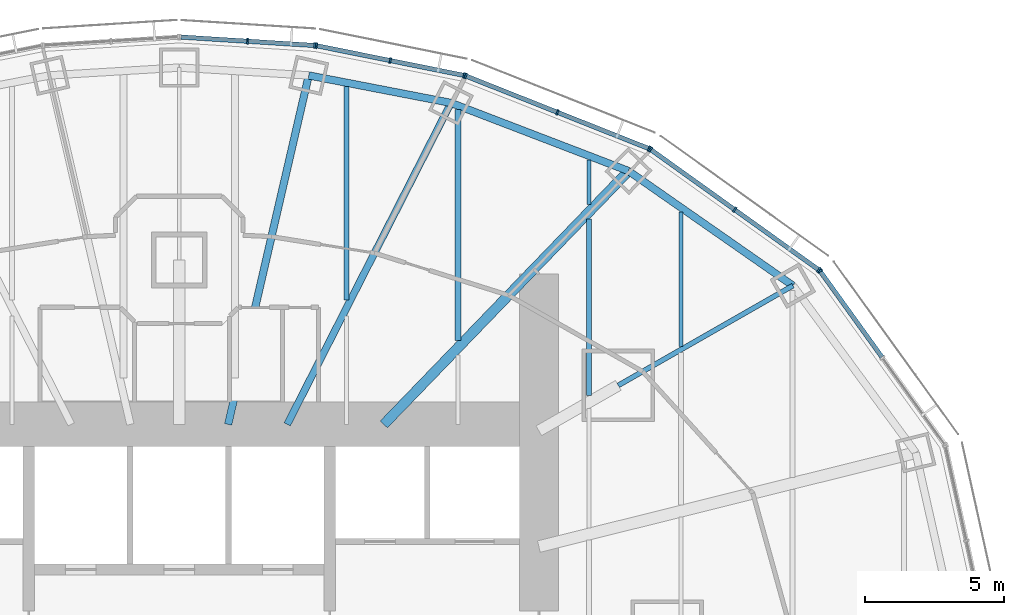
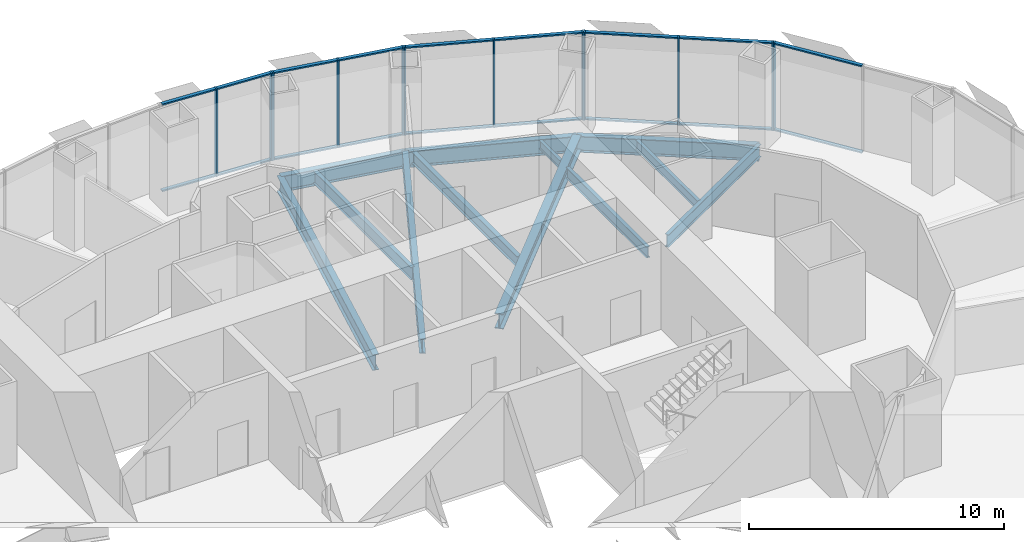
# One storey, part 8 of 18: 30 members, 12 beams, 5 elements without a shape of their own.
"""IFC4 building model written with IfcOpenShell, lengths in metres."""

from ifc_helpers import new_model, si_unit, direction, frame, origin, origin_2d, place, context, subcontext, project, spatial, rectangle, i_section, extrude, material, material_profile, profile_set, type_object, element, aggregate, save


model = new_model("IFC4")

# Units and contexts
model_context = context("Model", 3, precision=1e-05, world=origin(), true_north=direction((0.0, 1.0)))
body_context = subcontext(model_context, "Body", "Model", "MODEL_VIEW")
ifc_project = project(units=[si_unit("LENGTHUNIT", "METRE"), si_unit("AREAUNIT", "SQUARE_METRE"), si_unit("VOLUMEUNIT", "CUBIC_METRE"), si_unit("PLANEANGLEUNIT", "RADIAN"), si_unit("MASSUNIT", "GRAM", prefix="KILO")], contexts=[model_context])

# Site, building, storey
site_placement = place(None, origin())
site = spatial("IfcSite", under=ifc_project, at=site_placement, CompositionType="ELEMENT")
building_placement = place(site_placement, origin())
building = spatial("IfcBuilding", under=site, at=building_placement, Name="Lantaw Convention Tower", CompositionType="ELEMENT")
storey_placement = place(building_placement, frame((0.0, 0.0, 172.0)))
storey = spatial("IfcBuildingStorey", under=building, at=storey_placement, Name="L40", CompositionType="ELEMENT", Elevation=172.0)

# Beams
ifc_material_1 = material(Name="Steel ASTM A992", Category="steel")
ifc_material_profile_1 = material_profile(ifc_material_1, i_section(OverallWidth=0.2666015625, OverallDepth=0.76953125, WebThickness=0.015625, FlangeThickness=0.025390625, FilletRadius=0.0126953125, at=origin_2d()), Name="W30X132")
ifc_profile_set_1 = profile_set([ifc_material_profile_1], Name="Steel ASTM A992")
beam_type_1 = type_object("IfcBeamType", Name="Beam E W30X132", PredefinedType="SPANDREL", material=ifc_profile_set_1)
beam_1_placement = place(storey_placement, frame((22.013916015625, 12.579345703125, -0.534912109375), z_axis=(-0.820310765287, 0.57191804339, 0.0), x_axis=(-0.57191804339, -0.820310765287, 0.0)))
element("IfcBeam", 1, at=beam_1_placement, inside=storey, type_object=beam_type_1, Name="Edge beam 3", PredefinedType="SPANDREL", context=body_context, shape_type="SweptSolid", body=[
    extrude(i_section(OverallWidth=0.2666015625, OverallDepth=0.76953125, WebThickness=0.015625, FlangeThickness=0.025390625, FilletRadius=0.0126953125, at=origin_2d()), origin(), (0.0, 0.0, 1.0), 7.187744140625),
])
beam_2_placement = place(storey_placement, frame((16.11767578125, 16.690185546875, -0.534912109375), z_axis=(-0.933691081977, 0.358079549033, 0.0), x_axis=(-0.358079549033, -0.933691081977, 0.0)))
element("IfcBeam", 2, at=beam_2_placement, inside=storey, type_object=beam_type_1, Name="Edge beam 4", PredefinedType="SPANDREL", context=body_context, shape_type="SweptSolid", body=[
    extrude(i_section(OverallWidth=0.2666015625, OverallDepth=0.76953125, WebThickness=0.015625, FlangeThickness=0.025390625, FilletRadius=0.0126953125, at=origin_2d()), origin(), (0.0, 0.0, 1.0), 6.821533203125),
])
beam_3_placement = place(storey_placement, frame((9.74853515625, 19.1328125, -0.534912109375), z_axis=(-0.981796805654, 0.189934284446, 0.0), x_axis=(-0.189934284446, -0.981796805654, 0.0)))
element("IfcBeam", 3, at=beam_3_placement, inside=storey, type_object=beam_type_1, Name="Edge beam 5", PredefinedType="SPANDREL", context=body_context, shape_type="SweptSolid", body=[
    extrude(i_section(OverallWidth=0.2666015625, OverallDepth=0.76953125, WebThickness=0.015625, FlangeThickness=0.025390625, FilletRadius=0.0126953125, at=origin_2d()), origin(), (0.0, 0.0, 1.0), 5.1982421875),
])
ifc_material_profile_2 = material_profile(ifc_material_1, i_section(OverallWidth=0.177978515625, OverallDepth=0.599365234375, WebThickness=0.010009765625, FlangeThickness=0.012939453125, FilletRadius=0.012939453125, at=origin_2d()), Name="W24X55")
ifc_profile_set_2 = profile_set([ifc_material_profile_2], Name="Steel ASTM A992")
beam_type_2 = type_object("IfcBeamType", Name="Beam G W24X55", PredefinedType="BEAM", material=ifc_profile_set_2)
beam_4_placement = place(storey_placement, frame((15.75, 9.0, -0.44970703125), z_axis=(0.868245224608, 0.496135293993, 0.0), x_axis=(-0.496135293993, 0.868245224608, 0.0)))
element("IfcBeam", 4, at=beam_4_placement, inside=storey, type_object=beam_type_2, Name="Floor girder on ray 3", PredefinedType="BEAM", context=body_context, shape_type="SweptSolid", body=[
    extrude(i_section(OverallWidth=0.177978515625, OverallDepth=0.599365234375, WebThickness=0.010009765625, FlangeThickness=0.012939453125, FilletRadius=0.012939453125, at=origin_2d()), origin(), (0.0, 0.0, 1.0), 7.21435546875),
])
ifc_material_profile_3 = material_profile(ifc_material_1, i_section(OverallWidth=0.25390625, OverallDepth=0.700927734375, WebThickness=0.015380859375, FlangeThickness=0.02783203125, FilletRadius=0.01513671875, at=origin_2d()), Name="W27X129")
ifc_profile_set_3 = profile_set([ifc_material_profile_3], Name="Steel ASTM A992")
beam_type_3 = type_object("IfcBeamType", Name="Beam G W27X129", PredefinedType="BEAM", material=ifc_profile_set_3)
beam_5_placement = place(storey_placement, frame((3.872314453125, 7.60009765625, -0.50048828125), z_axis=(0.453991051051, 0.891006243281, 0.0), x_axis=(-0.891006243281, 0.453991051051, 0.0)))
element("IfcBeam", 5, at=beam_5_placement, inside=storey, type_object=beam_type_3, Name="Floor girder on ray 5", PredefinedType="BEAM", context=body_context, shape_type="SweptSolid", body=[
    extrude(i_section(OverallWidth=0.25390625, OverallDepth=0.700927734375, WebThickness=0.015380859375, FlangeThickness=0.02783203125, FilletRadius=0.01513671875, at=origin_2d()), origin(), (0.0, 0.0, 1.0), 12.943359375),
])
ifc_material_profile_4 = material_profile(ifc_material_1, i_section(OverallWidth=0.360595703125, OverallDepth=0.72900390625, WebThickness=0.023193359375, FlangeThickness=0.041015625, FilletRadius=0.0126953125, at=origin_2d()), Name="W27X235")
ifc_profile_set_4 = profile_set([ifc_material_profile_4], Name="Steel ASTM A992")
beam_type_4 = type_object("IfcBeamType", Name="Beam G W27X235", PredefinedType="BEAM", material=ifc_profile_set_4)
beam_6_placement = place(storey_placement, frame((7.33935546875, 7.60009765625, -0.514404296875), z_axis=(0.694663467407, 0.719334878239, 0.0), x_axis=(-0.719334878239, 0.694663467407, 0.0)))
element("IfcBeam", 6, at=beam_6_placement, inside=storey, type_object=beam_type_4, Name="Floor girder on ray 4", PredefinedType="BEAM", context=body_context, shape_type="SweptSolid", body=[
    extrude(i_section(OverallWidth=0.360595703125, OverallDepth=0.72900390625, WebThickness=0.023193359375, FlangeThickness=0.041015625, FilletRadius=0.0126953125, at=origin_2d()), origin(), (0.0, 0.0, 1.0), 12.63671875),
])
ifc_material_profile_5 = material_profile(ifc_material_1, i_section(OverallWidth=0.2666015625, OverallDepth=0.7568359375, WebThickness=0.013916015625, FlangeThickness=0.019287109375, FilletRadius=0.0126953125, at=origin_2d()), Name="W30X108")
ifc_profile_set_5 = profile_set([ifc_material_profile_5], Name="Steel ASTM A992")
beam_type_5 = type_object("IfcBeamType", Name="Beam G W30X108", PredefinedType="BEAM", material=ifc_profile_set_5)
beam_7_placement = place(storey_placement, frame((1.754638671875, 7.60009765625, -0.528564453125), z_axis=(0.224944153104, 0.974371658036, 0.0), x_axis=(-0.974371658036, 0.224944153104, 0.0)))
element("IfcBeam", 7, at=beam_7_placement, inside=storey, type_object=beam_type_5, Name="Floor girder on ray 6", PredefinedType="BEAM", context=body_context, shape_type="SweptSolid", body=[
    extrude(i_section(OverallWidth=0.2666015625, OverallDepth=0.7568359375, WebThickness=0.013916015625, FlangeThickness=0.019287109375, FilletRadius=0.0126953125, at=origin_2d()), origin(), (0.0, 0.0, 1.0), 12.849365234375),
])
ifc_material_profile_6 = material_profile(ifc_material_1, i_section(OverallWidth=0.140380859375, OverallDepth=0.40380859375, WebThickness=0.007080078125, FlangeThickness=0.01123046875, FilletRadius=0.01025390625, at=origin_2d()), Name="W16X31")
ifc_profile_set_6 = profile_set([ifc_material_profile_6], Name="Steel ASTM A992")
beam_type_6 = type_object("IfcBeamType", Name="Beam J W16X31", PredefinedType="JOIST", material=ifc_profile_set_6)
beam_8_placement = place(storey_placement, frame((14.699951171875, 15.48193359375, -0.35205078125), z_axis=(0.0, 1.0, 0.0), x_axis=(-1.0, 0.0, 0.0)))
element("IfcBeam", 8, at=beam_8_placement, inside=storey, type_object=beam_type_6, Name="Floor joist", PredefinedType="JOIST", context=body_context, shape_type="SweptSolid", body=[
    extrude(i_section(OverallWidth=0.140380859375, OverallDepth=0.40380859375, WebThickness=0.007080078125, FlangeThickness=0.01123046875, FilletRadius=0.01025390625, at=origin_2d()), origin(), (0.0, 0.0, 1.0), 1.609130859375),
])
ifc_material_profile_7 = material_profile(ifc_material_1, i_section(OverallWidth=0.15234375, OverallDepth=0.449462890625, WebThickness=0.007568359375, FlangeThickness=0.0107421875, FilletRadius=0.01025390625, at=origin_2d()), Name="W18X35")
ifc_profile_set_7 = profile_set([ifc_material_profile_7], Name="Steel ASTM A992")
beam_type_7 = type_object("IfcBeamType", Name="Beam J W18X35", PredefinedType="JOIST", material=ifc_profile_set_7)
beam_9_placement = place(storey_placement, frame((18.0, 10.38818359375, -0.374755859375), z_axis=(0.0, 1.0, 0.0), x_axis=(-1.0, 0.0, 0.0)))
element("IfcBeam", 9, at=beam_9_placement, inside=storey, type_object=beam_type_7, Name="Floor joist", PredefinedType="JOIST", context=body_context, shape_type="SweptSolid", body=[
    extrude(i_section(OverallWidth=0.15234375, OverallDepth=0.449462890625, WebThickness=0.007568359375, FlangeThickness=0.0107421875, FilletRadius=0.01025390625, at=origin_2d()), origin(), (0.0, 0.0, 1.0), 4.8271484375),
])
ifc_material_profile_8 = material_profile(ifc_material_1, i_section(OverallWidth=0.1650390625, OverallDepth=0.52587890625, WebThickness=0.0087890625, FlangeThickness=0.011474609375, FilletRadius=0.0126953125, at=origin_2d()), Name="W21X44")
ifc_profile_set_8 = profile_set([ifc_material_profile_8], Name="Steel ASTM A992")
beam_type_8 = type_object("IfcBeamType", Name="Beam J W21X44", PredefinedType="JOIST", material=ifc_profile_set_8)
beam_10_placement = place(storey_placement, frame((14.699951171875, 8.632568359375, -0.412841796875), z_axis=(0.0, 1.0, 0.0), x_axis=(-1.0, 0.0, 0.0)))
element("IfcBeam", 10, at=beam_10_placement, inside=storey, type_object=beam_type_8, Name="Floor joist", PredefinedType="JOIST", context=body_context, shape_type="SweptSolid", body=[
    extrude(i_section(OverallWidth=0.1650390625, OverallDepth=0.52587890625, WebThickness=0.0087890625, FlangeThickness=0.011474609375, FilletRadius=0.0126953125, at=origin_2d()), origin(), (0.0, 0.0, 1.0), 6.330078125),
])
ifc_material_profile_9 = material_profile(ifc_material_1, i_section(OverallWidth=0.2099609375, OverallDepth=0.535888671875, WebThickness=0.010986328125, FlangeThickness=0.017333984375, FilletRadius=0.012939453125, at=origin_2d()), Name="W21X68")
ifc_profile_set_9 = profile_set([ifc_material_profile_9], Name="Steel ASTM A992")
beam_type_9 = type_object("IfcBeamType", Name="Beam J W21X68", PredefinedType="JOIST", material=ifc_profile_set_9)
beam_11_placement = place(storey_placement, frame((10.0, 10.614990234375, -0.41796875), z_axis=(0.0, 1.0, 0.0), x_axis=(-1.0, 0.0, 0.0)))
element("IfcBeam", 11, at=beam_11_placement, inside=storey, type_object=beam_type_9, Name="Floor joist", PredefinedType="JOIST", context=body_context, shape_type="SweptSolid", body=[
    extrude(i_section(OverallWidth=0.2099609375, OverallDepth=0.535888671875, WebThickness=0.010986328125, FlangeThickness=0.017333984375, FilletRadius=0.012939453125, at=origin_2d()), origin(), (0.0, 0.0, 1.0), 8.278564453125),
])
ifc_material_profile_10 = material_profile(ifc_material_1, i_section(OverallWidth=0.177978515625, OverallDepth=0.599365234375, WebThickness=0.010009765625, FlangeThickness=0.012939453125, FilletRadius=0.012939453125, at=origin_2d()), Name="W24X55")
ifc_profile_set_10 = profile_set([ifc_material_profile_10], Name="Steel ASTM A992")
beam_type_10 = type_object("IfcBeamType", Name="Beam J W24X55", PredefinedType="JOIST", material=ifc_profile_set_10)
beam_12_placement = place(storey_placement, frame((6.0, 12.055419921875, -0.44970703125), z_axis=(0.0, 1.0, 0.0), x_axis=(-1.0, 0.0, 0.0)))
element("IfcBeam", 12, at=beam_12_placement, inside=storey, type_object=beam_type_10, Name="Floor joist", PredefinedType="JOIST", context=body_context, shape_type="SweptSolid", body=[
    extrude(i_section(OverallWidth=0.177978515625, OverallDepth=0.599365234375, WebThickness=0.010009765625, FlangeThickness=0.012939453125, FilletRadius=0.012939453125, at=origin_2d()), origin(), (0.0, 0.0, 1.0), 7.666748046875),
])

# Curtain wall, member
ifc_material_2 = material(Name="Aluminium framed curtain wall", Category="aluminium")
curtain_wall_type = type_object("IfcCurtainWallType", Name="Office curtain wall low rise, pale aluminium", PredefinedType="USERDEFINED", material=ifc_material_2)
curtain_wall_1_placement = place(storey_placement, origin())
curtain_wall_1 = element("IfcCurtainWall", 13, at=curtain_wall_1_placement, inside=storey, type_object=curtain_wall_type, Name="Office curtain wall low rise, pale aluminium L40", ObjectType="UNITISED CURTAIN WALL", PredefinedType="USERDEFINED")
ifc_material_3 = material(Name="Aluminium 6063-T6", Category="aluminium")
ifc_material_profile_11 = material_profile(ifc_material_3, rectangle(XDim=0.199951171875, YDim=0.06494140625, at=origin_2d()), Name="CW-O1 mullion 65x200")
ifc_profile_set_11 = profile_set([ifc_material_profile_11], Name="Aluminium 6063-T6")
member_type_1 = type_object("IfcMemberType", Name="CW-O1 mullion 65x200", PredefinedType="MULLION", material=ifc_profile_set_11)
member_1_placement = place(storey_placement, frame((22.988037109375, 13.098876953125, -0.14990234375), z_axis=(0.0, 0.0, 1.0), x_axis=(-0.811384633629, -0.584512597221, 0.0)))
member_1 = element("IfcMember", 14, at=member_1_placement, type_object=member_type_1, Name="CW-O1 mullion 3", PredefinedType="MULLION", context=body_context, shape_type="SweptSolid", body=[
    extrude(rectangle(XDim=0.199951171875, YDim=0.06494140625, at=origin_2d()), origin(), (0.0, 0.0, 1.0), 4.199951171875),
])

# Curtain wall, members
curtain_wall_2_placement = place(storey_placement, origin())
curtain_wall_2 = element("IfcCurtainWall", 15, at=curtain_wall_2_placement, inside=storey, type_object=curtain_wall_type, Name="Office curtain wall low rise, pale aluminium L40", ObjectType="UNITISED CURTAIN WALL", PredefinedType="USERDEFINED")
member_2_placement = place(storey_placement, frame((22.942626953125, 13.14404296875, -0.14990234375), z_axis=(0.0, 0.0, 1.0), x_axis=(-0.581972695693, -0.813208325995, 0.0)))
member_2 = element("IfcMember", 16, at=member_2_placement, type_object=member_type_1, Name="CW-O1 mullion 1", PredefinedType="MULLION", context=body_context, shape_type="SweptSolid", body=[
    extrude(rectangle(XDim=0.199951171875, YDim=0.06494140625, at=origin_2d()), origin(), (0.0, 0.0, 1.0), 4.199951171875),
])
member_3_placement = place(storey_placement, frame((19.92529296875, 15.303466796875, -0.14990234375), z_axis=(0.0, 0.0, 1.0), x_axis=(-0.581972695693, -0.813208325995, 0.0)))
member_3 = element("IfcMember", 17, at=member_3_placement, type_object=member_type_1, Name="CW-O1 mullion 2", PredefinedType="MULLION", context=body_context, shape_type="SweptSolid", body=[
    extrude(rectangle(XDim=0.199951171875, YDim=0.06494140625, at=origin_2d()), origin(), (0.0, 0.0, 1.0), 4.199951171875),
])
member_4_placement = place(storey_placement, frame((16.908203125, 17.462646484375, -0.14990234375), z_axis=(0.0, 0.0, 1.0), x_axis=(-0.581972695693, -0.813208325995, 0.0)))
member_4 = element("IfcMember", 18, at=member_4_placement, type_object=member_type_1, Name="CW-O1 mullion 3", PredefinedType="MULLION", context=body_context, shape_type="SweptSolid", body=[
    extrude(rectangle(XDim=0.199951171875, YDim=0.06494140625, at=origin_2d()), origin(), (0.0, 0.0, 1.0), 4.199951171875),
])

curtain_wall_3_placement = place(storey_placement, origin())
curtain_wall_3 = element("IfcCurtainWall", 19, at=curtain_wall_3_placement, inside=storey, type_object=curtain_wall_type, Name="Office curtain wall low rise, pale aluminium L40", ObjectType="UNITISED CURTAIN WALL", PredefinedType="USERDEFINED")
member_5_placement = place(storey_placement, frame((16.8515625, 17.49365234375, -0.14990234375), z_axis=(0.0, 0.0, 1.0), x_axis=(-0.368701907483, -0.929547687544, 0.0)))
member_5 = element("IfcMember", 20, at=member_5_placement, type_object=member_type_1, Name="CW-O1 mullion 1", PredefinedType="MULLION", context=body_context, shape_type="SweptSolid", body=[
    extrude(rectangle(XDim=0.199951171875, YDim=0.06494140625, at=origin_2d()), origin(), (0.0, 0.0, 1.0), 4.199951171875),
])
member_6_placement = place(storey_placement, frame((13.56494140625, 18.797119140625, -0.14990234375), z_axis=(0.0, 0.0, 1.0), x_axis=(-0.368701907483, -0.929547687544, 0.0)))
member_6 = element("IfcMember", 21, at=member_6_placement, type_object=member_type_1, Name="CW-O1 mullion 2", PredefinedType="MULLION", context=body_context, shape_type="SweptSolid", body=[
    extrude(rectangle(XDim=0.199951171875, YDim=0.06494140625, at=origin_2d()), origin(), (0.0, 0.0, 1.0), 4.199951171875),
])
member_7_placement = place(storey_placement, frame((10.2783203125, 20.100830078125, -0.14990234375), z_axis=(0.0, 0.0, 1.0), x_axis=(-0.368701907483, -0.929547687544, 0.0)))
member_7 = element("IfcMember", 22, at=member_7_placement, type_object=member_type_1, Name="CW-O1 mullion 3", PredefinedType="MULLION", context=body_context, shape_type="SweptSolid", body=[
    extrude(rectangle(XDim=0.199951171875, YDim=0.06494140625, at=origin_2d()), origin(), (0.0, 0.0, 1.0), 4.199951171875),
])

curtain_wall_4_placement = place(storey_placement, origin())
curtain_wall_4 = element("IfcCurtainWall", 23, at=curtain_wall_4_placement, inside=storey, type_object=curtain_wall_type, Name="Office curtain wall low rise, pale aluminium L40", ObjectType="UNITISED CURTAIN WALL", PredefinedType="USERDEFINED")
member_8_placement = place(storey_placement, frame((10.216064453125, 20.119140625, -0.14990234375), z_axis=(0.0, 0.0, 1.0), x_axis=(-0.197506809659, -0.980301514912, 0.0)))
member_8 = element("IfcMember", 24, at=member_8_placement, type_object=member_type_1, Name="CW-O1 mullion 1", PredefinedType="MULLION", context=body_context, shape_type="SweptSolid", body=[
    extrude(rectangle(XDim=0.199951171875, YDim=0.06494140625, at=origin_2d()), origin(), (0.0, 0.0, 1.0), 4.199951171875),
])
member_9_placement = place(storey_placement, frame((7.5703125, 20.65234375, -0.14990234375), z_axis=(0.0, 0.0, 1.0), x_axis=(-0.197506809659, -0.980301514912, 0.0)))
member_9 = element("IfcMember", 25, at=member_9_placement, type_object=member_type_1, Name="CW-O1 mullion 2", PredefinedType="MULLION", context=body_context, shape_type="SweptSolid", body=[
    extrude(rectangle(XDim=0.199951171875, YDim=0.06494140625, at=origin_2d()), origin(), (0.0, 0.0, 1.0), 4.199951171875),
])
member_10_placement = place(storey_placement, frame((4.92431640625, 21.185302734375, -0.14990234375), z_axis=(0.0, 0.0, 1.0), x_axis=(-0.197506809659, -0.980301514912, 0.0)))
member_10 = element("IfcMember", 26, at=member_10_placement, type_object=member_type_1, Name="CW-O1 mullion 3", PredefinedType="MULLION", context=body_context, shape_type="SweptSolid", body=[
    extrude(rectangle(XDim=0.199951171875, YDim=0.06494140625, at=origin_2d()), origin(), (0.0, 0.0, 1.0), 4.199951171875),
])

curtain_wall_5_placement = place(storey_placement, origin())
curtain_wall_5 = element("IfcCurtainWall", 27, at=curtain_wall_5_placement, inside=storey, type_object=curtain_wall_type, Name="Office curtain wall low rise, pale aluminium L40", ObjectType="UNITISED CURTAIN WALL", PredefinedType="USERDEFINED")
member_11_placement = place(storey_placement, frame((4.860107421875, 21.19384765625, -0.14990234375), z_axis=(0.0, 0.0, 1.0), x_axis=(-0.062865059466, -0.998022035978, 0.0)))
member_11 = element("IfcMember", 28, at=member_11_placement, type_object=member_type_1, Name="CW-O1 mullion 1", PredefinedType="MULLION", context=body_context, shape_type="SweptSolid", body=[
    extrude(rectangle(XDim=0.199951171875, YDim=0.06494140625, at=origin_2d()), origin(), (0.0, 0.0, 1.0), 4.199951171875),
])
member_12_placement = place(storey_placement, frame((2.4462890625, 21.345947265625, -0.14990234375), z_axis=(0.0, 0.0, 1.0), x_axis=(-0.062865059466, -0.998022035978, 0.0)))
member_12 = element("IfcMember", 29, at=member_12_placement, type_object=member_type_1, Name="CW-O1 mullion 2", PredefinedType="MULLION", context=body_context, shape_type="SweptSolid", body=[
    extrude(rectangle(XDim=0.199951171875, YDim=0.06494140625, at=origin_2d()), origin(), (0.0, 0.0, 1.0), 4.199951171875),
])

# Member
ifc_material_profile_12 = material_profile(ifc_material_3, rectangle(XDim=0.159912109375, YDim=0.06494140625, at=origin_2d()), Name="CW-O1 transom 65x160")
ifc_profile_set_12 = profile_set([ifc_material_profile_12], Name="Aluminium 6063-T6")
member_type_2 = type_object("IfcMemberType", Name="CW-O1 transom 65x160", PredefinedType="USERDEFINED", material=ifc_profile_set_12)
member_13_placement = place(storey_placement, frame((25.209228515625, 10.015625, -0.117431640625), z_axis=(-0.584512973979, 0.811384362217, 0.0), x_axis=(-0.811384362217, -0.584512973979, 0.0)))
member_13 = element("IfcMember", 30, at=member_13_placement, type_object=member_type_2, Name="CW-O1 transom 2.1", ObjectType="TRANSOM", PredefinedType="USERDEFINED", context=body_context, shape_type="SweptSolid", body=[
    extrude(rectangle(XDim=0.159912109375, YDim=0.06494140625, at=origin_2d()), origin(), (0.0, 0.0, 1.0), 3.767578125),
])

member_14_placement = place(storey_placement, frame((25.209228515625, 10.015625, 4.017578125), z_axis=(-0.584512973979, 0.811384362217, 0.0), x_axis=(-0.811384362217, -0.584512973979, 0.0)))
member_14 = element("IfcMember", 31, at=member_14_placement, type_object=member_type_2, Name="CW-O1 transom 2.2", ObjectType="TRANSOM", PredefinedType="USERDEFINED", context=body_context, shape_type="SweptSolid", body=[
    extrude(rectangle(XDim=0.159912109375, YDim=0.06494140625, at=origin_2d()), origin(), (0.0, 0.0, 1.0), 3.767578125),
])

aggregate(curtain_wall_1, [member_1, member_13, member_14])

member_15_placement = place(storey_placement, frame((22.916259765625, 13.1630859375, -0.117431640625), z_axis=(-0.813221785972, 0.581953887194, 0.0), x_axis=(-0.581953887194, -0.813221785972, 0.0)))
member_15 = element("IfcMember", 32, at=member_15_placement, type_object=member_type_2, Name="CW-O1 transom 1.1", ObjectType="TRANSOM", PredefinedType="USERDEFINED", context=body_context, shape_type="SweptSolid", body=[
    extrude(rectangle(XDim=0.159912109375, YDim=0.06494140625, at=origin_2d()), origin(), (0.0, 0.0, 1.0), 3.645263671875),
])

member_16_placement = place(storey_placement, frame((22.916259765625, 13.1630859375, 4.017578125), z_axis=(-0.813221785972, 0.581953887194, 0.0), x_axis=(-0.581953887194, -0.813221785972, 0.0)))
member_16 = element("IfcMember", 33, at=member_16_placement, type_object=member_type_2, Name="CW-O1 transom 1.2", ObjectType="TRANSOM", PredefinedType="USERDEFINED", context=body_context, shape_type="SweptSolid", body=[
    extrude(rectangle(XDim=0.159912109375, YDim=0.06494140625, at=origin_2d()), origin(), (0.0, 0.0, 1.0), 3.645263671875),
])

member_17_placement = place(storey_placement, frame((19.89892578125, 15.322265625, -0.117431640625), z_axis=(-0.813190089133, 0.581998177777, 0.0), x_axis=(-0.581998177777, -0.813190089133, 0.0)))
member_17 = element("IfcMember", 34, at=member_17_placement, type_object=member_type_2, Name="CW-O1 transom 2.1", ObjectType="TRANSOM", PredefinedType="USERDEFINED", context=body_context, shape_type="SweptSolid", body=[
    extrude(rectangle(XDim=0.159912109375, YDim=0.06494140625, at=origin_2d()), origin(), (0.0, 0.0, 1.0), 3.645263671875),
])

member_18_placement = place(storey_placement, frame((19.89892578125, 15.322265625, 4.017578125), z_axis=(-0.813190089133, 0.581998177777, 0.0), x_axis=(-0.581998177777, -0.813190089133, 0.0)))
member_18 = element("IfcMember", 35, at=member_18_placement, type_object=member_type_2, Name="CW-O1 transom 2.2", ObjectType="TRANSOM", PredefinedType="USERDEFINED", context=body_context, shape_type="SweptSolid", body=[
    extrude(rectangle(XDim=0.159912109375, YDim=0.06494140625, at=origin_2d()), origin(), (0.0, 0.0, 1.0), 3.645263671875),
])

aggregate(curtain_wall_2, [member_2, member_3, member_4, member_15, member_16, member_17, member_18])

member_19_placement = place(storey_placement, frame((16.8212890625, 17.505615234375, -0.117431640625), z_axis=(-0.929564188507, 0.368660303592, 0.0), x_axis=(-0.368660303592, -0.929564188507, 0.0)))
member_19 = element("IfcMember", 36, at=member_19_placement, type_object=member_type_2, Name="CW-O1 transom 1.1", ObjectType="TRANSOM", PredefinedType="USERDEFINED", context=body_context, shape_type="SweptSolid", body=[
    extrude(rectangle(XDim=0.159912109375, YDim=0.06494140625, at=origin_2d()), origin(), (0.0, 0.0, 1.0), 3.470703125),
])

member_20_placement = place(storey_placement, frame((16.8212890625, 17.505615234375, 4.017578125), z_axis=(-0.929564188507, 0.368660303592, 0.0), x_axis=(-0.368660303592, -0.929564188507, 0.0)))
member_20 = element("IfcMember", 37, at=member_20_placement, type_object=member_type_2, Name="CW-O1 transom 1.2", ObjectType="TRANSOM", PredefinedType="USERDEFINED", context=body_context, shape_type="SweptSolid", body=[
    extrude(rectangle(XDim=0.159912109375, YDim=0.06494140625, at=origin_2d()), origin(), (0.0, 0.0, 1.0), 3.470703125),
])

member_21_placement = place(storey_placement, frame((13.53466796875, 18.80908203125, -0.117431640625), z_axis=(-0.929540081544, 0.368721082668, 0.0), x_axis=(-0.368721082668, -0.929540081544, 0.0)))
member_21 = element("IfcMember", 38, at=member_21_placement, type_object=member_type_2, Name="CW-O1 transom 2.1", ObjectType="TRANSOM", PredefinedType="USERDEFINED", context=body_context, shape_type="SweptSolid", body=[
    extrude(rectangle(XDim=0.159912109375, YDim=0.06494140625, at=origin_2d()), origin(), (0.0, 0.0, 1.0), 3.470947265625),
])

member_22_placement = place(storey_placement, frame((13.53466796875, 18.80908203125, 4.017578125), z_axis=(-0.929540081544, 0.368721082668, 0.0), x_axis=(-0.368721082668, -0.929540081544, 0.0)))
member_22 = element("IfcMember", 39, at=member_22_placement, type_object=member_type_2, Name="CW-O1 transom 2.2", ObjectType="TRANSOM", PredefinedType="USERDEFINED", context=body_context, shape_type="SweptSolid", body=[
    extrude(rectangle(XDim=0.159912109375, YDim=0.06494140625, at=origin_2d()), origin(), (0.0, 0.0, 1.0), 3.470947265625),
])

aggregate(curtain_wall_3, [member_5, member_6, member_7, member_19, member_20, member_21, member_22])

member_23_placement = place(storey_placement, frame((10.184326171875, 20.125732421875, -0.117431640625), z_axis=(-0.980301643003, 0.197506173891, 0.0), x_axis=(-0.197506173891, -0.980301643003, 0.0)))
member_23 = element("IfcMember", 40, at=member_23_placement, type_object=member_type_2, Name="CW-O1 transom 1.1", ObjectType="TRANSOM", PredefinedType="USERDEFINED", context=body_context, shape_type="SweptSolid", body=[
    extrude(rectangle(XDim=0.159912109375, YDim=0.06494140625, at=origin_2d()), origin(), (0.0, 0.0, 1.0), 2.63427734375),
])

member_24_placement = place(storey_placement, frame((10.184326171875, 20.125732421875, 4.017578125), z_axis=(-0.980301643003, 0.197506173891, 0.0), x_axis=(-0.197506173891, -0.980301643003, 0.0)))
member_24 = element("IfcMember", 41, at=member_24_placement, type_object=member_type_2, Name="CW-O1 transom 1.2", ObjectType="TRANSOM", PredefinedType="USERDEFINED", context=body_context, shape_type="SweptSolid", body=[
    extrude(rectangle(XDim=0.159912109375, YDim=0.06494140625, at=origin_2d()), origin(), (0.0, 0.0, 1.0), 2.63427734375),
])

member_25_placement = place(storey_placement, frame((7.538330078125, 20.65869140625, -0.117431640625), z_axis=(-0.980298027092, 0.197524120247, 0.0), x_axis=(-0.197524120247, -0.980298027092, 0.0)))
member_25 = element("IfcMember", 42, at=member_25_placement, type_object=member_type_2, Name="CW-O1 transom 2.1", ObjectType="TRANSOM", PredefinedType="USERDEFINED", context=body_context, shape_type="SweptSolid", body=[
    extrude(rectangle(XDim=0.159912109375, YDim=0.06494140625, at=origin_2d()), origin(), (0.0, 0.0, 1.0), 2.634033203125),
])

member_26_placement = place(storey_placement, frame((7.538330078125, 20.65869140625, 4.017578125), z_axis=(-0.980298027092, 0.197524120247, 0.0), x_axis=(-0.197524120247, -0.980298027092, 0.0)))
member_26 = element("IfcMember", 43, at=member_26_placement, type_object=member_type_2, Name="CW-O1 transom 2.2", ObjectType="TRANSOM", PredefinedType="USERDEFINED", context=body_context, shape_type="SweptSolid", body=[
    extrude(rectangle(XDim=0.159912109375, YDim=0.06494140625, at=origin_2d()), origin(), (0.0, 0.0, 1.0), 2.634033203125),
])

aggregate(curtain_wall_4, [member_8, member_9, member_10, member_23, member_24, member_25, member_26])

member_27_placement = place(storey_placement, frame((4.82763671875, 21.19580078125, -0.117431640625), z_axis=(-0.998022188463, 0.062862638625, 0.0), x_axis=(-0.062862638625, -0.998022188463, 0.0)))
member_27 = element("IfcMember", 44, at=member_27_placement, type_object=member_type_2, Name="CW-O1 transom 1.1", ObjectType="TRANSOM", PredefinedType="USERDEFINED", context=body_context, shape_type="SweptSolid", body=[
    extrude(rectangle(XDim=0.159912109375, YDim=0.06494140625, at=origin_2d()), origin(), (0.0, 0.0, 1.0), 2.353515625),
])

member_28_placement = place(storey_placement, frame((4.82763671875, 21.19580078125, 4.017578125), z_axis=(-0.998022188463, 0.062862638625, 0.0), x_axis=(-0.062862638625, -0.998022188463, 0.0)))
member_28 = element("IfcMember", 45, at=member_28_placement, type_object=member_type_2, Name="CW-O1 transom 1.2", ObjectType="TRANSOM", PredefinedType="USERDEFINED", context=body_context, shape_type="SweptSolid", body=[
    extrude(rectangle(XDim=0.159912109375, YDim=0.06494140625, at=origin_2d()), origin(), (0.0, 0.0, 1.0), 2.353515625),
])

member_29_placement = place(storey_placement, frame((2.413818359375, 21.347900390625, -0.117431640625), z_axis=(-0.998022188463, 0.062862638625, 0.0), x_axis=(-0.062862638625, -0.998022188463, 0.0)))
member_29 = element("IfcMember", 46, at=member_29_placement, type_object=member_type_2, Name="CW-O1 transom 2.1", ObjectType="TRANSOM", PredefinedType="USERDEFINED", context=body_context, shape_type="SweptSolid", body=[
    extrude(rectangle(XDim=0.159912109375, YDim=0.06494140625, at=origin_2d()), origin(), (0.0, 0.0, 1.0), 2.353515625),
])

member_30_placement = place(storey_placement, frame((2.413818359375, 21.347900390625, 4.017578125), z_axis=(-0.998022188463, 0.062862638625, 0.0), x_axis=(-0.062862638625, -0.998022188463, 0.0)))
member_30 = element("IfcMember", 47, at=member_30_placement, type_object=member_type_2, Name="CW-O1 transom 2.2", ObjectType="TRANSOM", PredefinedType="USERDEFINED", context=body_context, shape_type="SweptSolid", body=[
    extrude(rectangle(XDim=0.159912109375, YDim=0.06494140625, at=origin_2d()), origin(), (0.0, 0.0, 1.0), 2.353515625),
])

aggregate(curtain_wall_5, [member_11, member_12, member_27, member_28, member_29, member_30])

save(model, "model.ifc")
